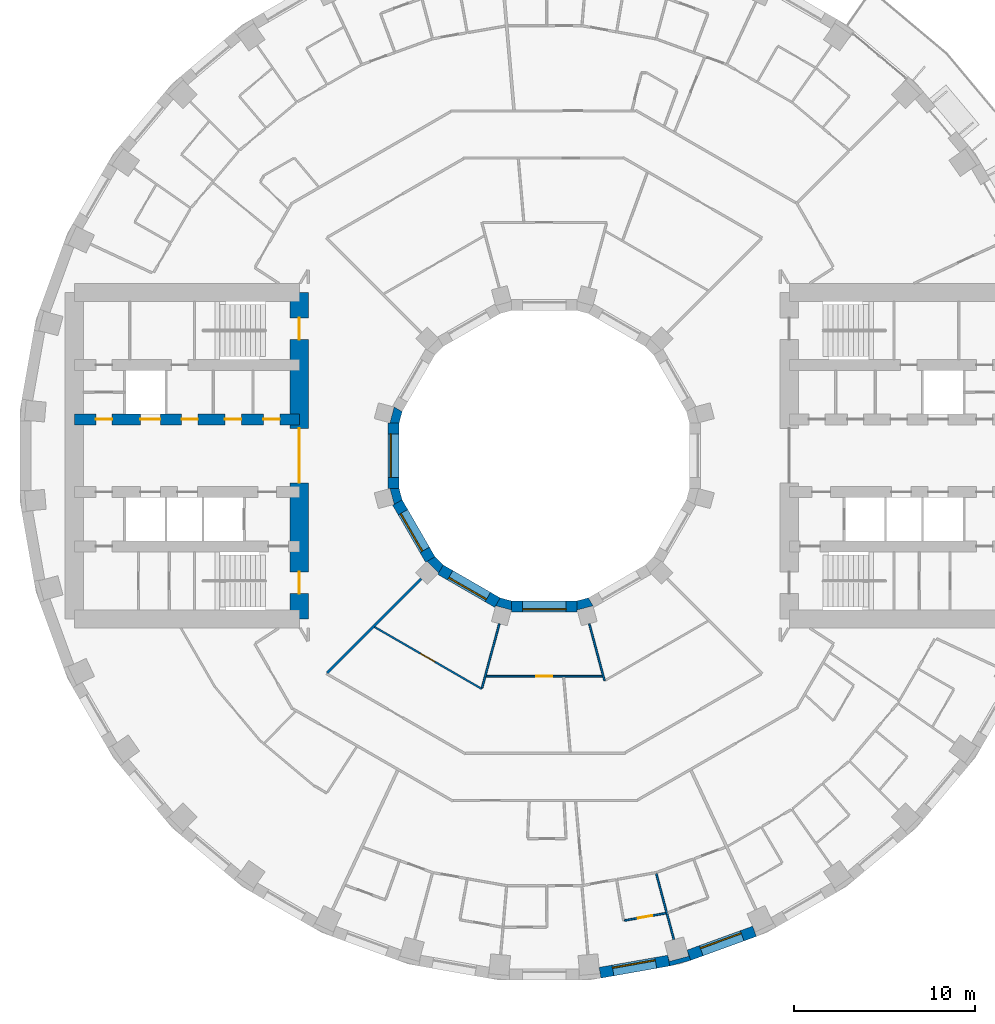
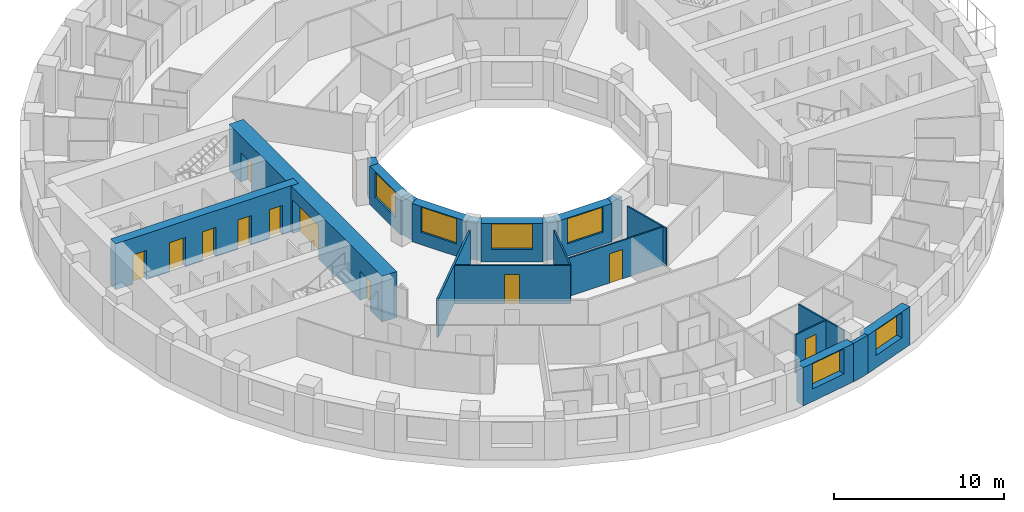
# One storey, part 6 of 15: 21 walls, 11 doors, 6 windows, 17 openings.
"""IFC4 building model written with IfcOpenShell, lengths in metres."""

from ifc_helpers import new_model, si_unit, direction, frame, frame_2d, origin, place, context, subcontext, project, spatial, polyline, rectangle, outline, extrude, material, layer, layer_set, type_object, element, fill, save


model = new_model("IFC4")

# Units and contexts
model_context = context("Model", 3, precision=1e-05, world=origin(), true_north=direction((0.0, 1.0)))
body_context = subcontext(model_context, "Body", "Model", "MODEL_VIEW")
ifc_project = project(units=[si_unit("LENGTHUNIT", "METRE"), si_unit("AREAUNIT", "SQUARE_METRE"), si_unit("VOLUMEUNIT", "CUBIC_METRE"), si_unit("PLANEANGLEUNIT", "RADIAN"), si_unit("MASSUNIT", "GRAM", prefix="KILO")], contexts=[model_context])

# Site, building, storey
site_placement = place(None, origin())
site = spatial("IfcSite", under=ifc_project, at=site_placement, CompositionType="ELEMENT")
building_placement = place(site_placement, origin())
building = spatial("IfcBuilding", under=site, at=building_placement, Name="Saqina Gate Tower", CompositionType="ELEMENT")
storey_placement = place(building_placement, frame((0.0, 0.0, 59.300048828125)))
storey = spatial("IfcBuildingStorey", under=building, at=storey_placement, Name="L16", CompositionType="ELEMENT", Elevation=59.300048828125)

# Wall
ifc_material_1 = material(Name="Brick masonry (red)", Category="masonry")
wall_type_1 = type_object("IfcWallType", Name="BRICK PIER COPING RED", PredefinedType="SOLIDWALL", material=ifc_material_1)
wall_1_placement = place(storey_placement, origin())
element("IfcWall", 1, at=wall_1_placement, inside=storey, type_object=wall_type_1, Name="Pier cap L16 column 29", PredefinedType="SOLIDWALL", context=body_context, shape_type="SweptSolid", body=[
    extrude(outline(polyline([(6.910400390625, -28.11669921875), (8.073974609375, -27.80517578125), (7.86865234375, -27.2412109375), (7.95947265625, -27.57958984375), (6.896728515625, -27.864501953125), (6.80615234375, -27.52587890625), (6.910400390625, -28.11669921875)])), origin(), (0.0, 0.0, 1.0), 2.75),
])

# Wall, opening, window
ifc_material_2 = material(Name="Brick masonry (red)", Category="masonry")
ifc_layer_1 = layer(ifc_material_2, 0.60009765625)
ifc_layer_set_1 = layer_set([ifc_layer_1], Name="FW-BRICK-RED")
wall_type_2 = type_object("IfcWallType", Name="FW-BRICK-RED", PredefinedType="SOLIDWALL", material=ifc_layer_set_1)
wall_2_placement = place(storey_placement, frame((3.07080078125, -28.4892578125, 0.0), z_axis=(0.0, 0.0, 1.0), x_axis=(0.984800809218, 0.173687553279, 0.0)))
wall_2 = element("IfcWall", 2, at=wall_2_placement, inside=storey, type_object=wall_type_2, Name="Facade wall L16 facet 28", PredefinedType="SOLIDWALL", context=body_context, shape_type="SweptSolid", body=[
    extrude(rectangle(XDim=3.845703125, YDim=0.60009765625, at=frame_2d((1.9228515625, 0.0))), origin(), (0.0, 0.0, 1.0), 2.75),
])
opening_1_placement = place(wall_2_placement, frame((0.722900390625, 0.0, 0.89990234375)))
opening_1 = element("IfcOpeningElement", 3, at=opening_1_placement, cuts=wall_2, Name="Opening G04-W18", PredefinedType="OPENING", context=body_context, shape_type="SweptSolid", body=[
    extrude(rectangle(XDim=2.39990234375, YDim=1.800048828125, at=frame_2d((1.199951171875, 0.89990234375))), frame((0.0, 0.31201171875, 0.0), z_axis=(0.0, -1.0, 0.0), x_axis=(1.0, 0.0, 0.0)), (0.0, 0.0, 1.0), 0.6240234375),
])
ifc_material_3 = material(Name="Aluminium glazing", Category="aluminium")
window_type_1 = type_object("IfcWindowType", Name="WN-A", PartitioningType="SINGLE_PANEL", PredefinedType="WINDOW", material=ifc_material_3)
window_1_placement = place(opening_1_placement, origin())
window_1 = element("IfcWindow", 4, at=window_1_placement, inside=storey, type_object=window_type_1, Name="Window L16 facet 28", OverallHeight=1.800048828125, OverallWidth=2.39990234375, PartitioningType="SINGLE_PANEL", PredefinedType="WINDOW", context=body_context, shape_type="SweptSolid", body=[
    extrude(rectangle(XDim=2.39990234375, YDim=1.800048828125, at=frame_2d((1.199951171875, 0.89990234375))), frame((0.0, 0.179931640625, 0.0), z_axis=(0.0, -1.0, 0.0), x_axis=(1.0, 0.0, 0.0)), (0.0, 0.0, 1.0), 0.06005859375),
])
fill(opening_1, window_1)

wall_3_placement = place(storey_placement, frame((7.97119140625, -27.523193359375, 0.0), z_axis=(0.0, 0.0, 1.0), x_axis=(0.939689588564, 0.342028474173, 0.0)))
wall_3 = element("IfcWall", 5, at=wall_3_placement, inside=storey, type_object=wall_type_2, Name="Facade wall L16 facet 29", PredefinedType="SOLIDWALL", context=body_context, shape_type="SweptSolid", body=[
    extrude(rectangle(XDim=3.845947265625, YDim=0.60009765625, at=frame_2d((1.9228515625, 0.0))), origin(), (0.0, 0.0, 1.0), 2.75),
])
opening_2_placement = place(wall_3_placement, frame((0.722900390625, 0.0, 0.89990234375)))
opening_2 = element("IfcOpeningElement", 6, at=opening_2_placement, cuts=wall_3, Name="Opening G04-W19", PredefinedType="OPENING", context=body_context, shape_type="SweptSolid", body=[
    extrude(rectangle(XDim=2.39990234375, YDim=1.800048828125, at=frame_2d((1.199951171875, 0.89990234375))), frame((0.0, 0.31201171875, 0.0), z_axis=(0.0, -1.0, 0.0), x_axis=(1.0, 0.0, 0.0)), (0.0, 0.0, 1.0), 0.6240234375),
])
window_2_placement = place(opening_2_placement, origin())
window_2 = element("IfcWindow", 7, at=window_2_placement, inside=storey, type_object=window_type_1, Name="Window L16 facet 29", OverallHeight=1.800048828125, OverallWidth=2.39990234375, PartitioningType="SINGLE_PANEL", PredefinedType="WINDOW", context=body_context, shape_type="SweptSolid", body=[
    extrude(rectangle(XDim=2.39990234375, YDim=1.800048828125, at=frame_2d((1.199951171875, 0.89990234375))), frame((0.0, 0.179931640625, 0.0), z_axis=(0.0, -1.0, 0.0), x_axis=(1.0, 0.0, 0.0)), (0.0, 0.0, 1.0), 0.06005859375),
])
fill(opening_2, window_2)

ifc_material_4 = material(Name="Glazed ceramic tile", Category="ceramic")
ifc_layer_2 = layer(ifc_material_4, 0.60009765625)
ifc_layer_set_2 = layer_set([ifc_layer_2], Name="IW-TILE")
wall_type_3 = type_object("IfcWallType", Name="IW-TILE", PredefinedType="SOLIDWALL", material=ifc_layer_set_2)
wall_4_placement = place(storey_placement, frame((-8.300048828125, 1.8125, 0.0), z_axis=(0.0, 0.0, 1.0), x_axis=(0.0, -1.0, 0.0)))
wall_4 = element("IfcWall", 8, at=wall_4_placement, inside=storey, type_object=wall_type_3, Name="Well wall L16 facet 6", PredefinedType="SOLIDWALL", context=body_context, shape_type="SweptSolid", body=[
    extrude(rectangle(XDim=3.625, YDim=0.60009765625, at=frame_2d((1.8125, 0.0))), origin(), (0.0, 0.0, 1.0), 2.75),
])
opening_3_placement = place(wall_4_placement, frame((0.612548828125, 0.0, 0.89990234375)))
opening_3 = element("IfcOpeningElement", 9, at=opening_3_placement, cuts=wall_4, Name="Opening G04-W29", PredefinedType="OPENING", context=body_context, shape_type="SweptSolid", body=[
    extrude(rectangle(XDim=2.39990234375, YDim=1.800048828125, at=frame_2d((1.199951171875, 0.89990234375))), frame((0.0, 0.31201171875, 0.0), z_axis=(0.0, -1.0, 0.0), x_axis=(1.0, 0.0, 0.0)), (0.0, 0.0, 1.0), 0.6240234375),
])
ifc_material_5 = material(Name="Aluminium glazing", Category="aluminium")
window_type_2 = type_object("IfcWindowType", Name="WN-W", PartitioningType="SINGLE_PANEL", PredefinedType="WINDOW", material=ifc_material_5)
window_3_placement = place(opening_3_placement, origin())
window_3 = element("IfcWindow", 10, at=window_3_placement, inside=storey, type_object=window_type_2, Name="Well window L16 facet 6", OverallHeight=1.800048828125, OverallWidth=2.39990234375, PartitioningType="SINGLE_PANEL", PredefinedType="WINDOW", context=body_context, shape_type="SweptSolid", body=[
    extrude(rectangle(XDim=2.39990234375, YDim=1.800048828125, at=frame_2d((1.199951171875, 0.89990234375))), frame((0.0, -0.119873046875, 0.0), z_axis=(0.0, -1.0, 0.0), x_axis=(1.0, 0.0, 0.0)), (0.0, 0.0, 1.0), 0.06005859375),
])
fill(opening_3, window_3)

wall_5_placement = place(storey_placement, frame((-8.09423828125, -2.580322265625, 0.0), z_axis=(0.0, 0.0, 1.0), x_axis=(0.499992569217, -0.866029693906, 0.0)))
wall_5 = element("IfcWall", 11, at=wall_5_placement, inside=storey, type_object=wall_type_3, Name="Well wall L16 facet 7", PredefinedType="SOLIDWALL", context=body_context, shape_type="SweptSolid", body=[
    extrude(rectangle(XDim=3.625, YDim=0.60009765625, at=frame_2d((1.8125, 0.0))), origin(), (0.0, 0.0, 1.0), 2.75),
])
opening_4_placement = place(wall_5_placement, frame((0.612548828125, 0.0, 0.89990234375)))
opening_4 = element("IfcOpeningElement", 12, at=opening_4_placement, cuts=wall_5, Name="Opening G04-W30", PredefinedType="OPENING", context=body_context, shape_type="SweptSolid", body=[
    extrude(rectangle(XDim=2.39990234375, YDim=1.800048828125, at=frame_2d((1.199951171875, 0.89990234375))), frame((0.0, 0.31201171875, 0.0), z_axis=(0.0, -1.0, 0.0), x_axis=(1.0, 0.0, 0.0)), (0.0, 0.0, 1.0), 0.6240234375),
])
window_4_placement = place(opening_4_placement, origin())
window_4 = element("IfcWindow", 13, at=window_4_placement, inside=storey, type_object=window_type_2, Name="Well window L16 facet 7", OverallHeight=1.800048828125, OverallWidth=2.39990234375, PartitioningType="SINGLE_PANEL", PredefinedType="WINDOW", context=body_context, shape_type="SweptSolid", body=[
    extrude(rectangle(XDim=2.39990234375, YDim=1.800048828125, at=frame_2d((1.199951171875, 0.89990234375))), frame((0.0, -0.119873046875, 0.0), z_axis=(0.0, -1.0, 0.0), x_axis=(1.0, 0.0, 0.0)), (0.0, 0.0, 1.0), 0.06005859375),
])
fill(opening_4, window_4)

wall_6_placement = place(storey_placement, frame((-5.7197265625, -6.28173828125, 0.0), z_axis=(0.0, 0.0, 1.0), x_axis=(0.866029693906, -0.499992569217, 0.0)))
wall_6 = element("IfcWall", 14, at=wall_6_placement, inside=storey, type_object=wall_type_3, Name="Well wall L16 facet 8", PredefinedType="SOLIDWALL", context=body_context, shape_type="SweptSolid", body=[
    extrude(rectangle(XDim=3.625, YDim=0.60009765625, at=frame_2d((1.8125, 0.0))), origin(), (0.0, 0.0, 1.0), 2.75),
])
opening_5_placement = place(wall_6_placement, frame((0.612548828125, 0.0, 0.89990234375)))
opening_5 = element("IfcOpeningElement", 15, at=opening_5_placement, cuts=wall_6, Name="Opening G04-W31", PredefinedType="OPENING", context=body_context, shape_type="SweptSolid", body=[
    extrude(rectangle(XDim=2.39990234375, YDim=1.800048828125, at=frame_2d((1.199951171875, 0.89990234375))), frame((0.0, 0.31201171875, 0.0), z_axis=(0.0, -1.0, 0.0), x_axis=(1.0, 0.0, 0.0)), (0.0, 0.0, 1.0), 0.6240234375),
])
window_5_placement = place(opening_5_placement, origin())
window_5 = element("IfcWindow", 16, at=window_5_placement, inside=storey, type_object=window_type_2, Name="Well window L16 facet 8", OverallHeight=1.800048828125, OverallWidth=2.39990234375, PartitioningType="SINGLE_PANEL", PredefinedType="WINDOW", context=body_context, shape_type="SweptSolid", body=[
    extrude(rectangle(XDim=2.39990234375, YDim=1.800048828125, at=frame_2d((1.199951171875, 0.89990234375))), frame((0.0, -0.119873046875, 0.0), z_axis=(0.0, -1.0, 0.0), x_axis=(1.0, 0.0, 0.0)), (0.0, 0.0, 1.0), 0.06005859375),
])
fill(opening_5, window_5)

wall_7_placement = place(storey_placement, frame((-1.8125, -8.300048828125, 0.0), z_axis=(0.0, 0.0, 1.0), x_axis=(1.0, 0.0, 0.0)))
wall_7 = element("IfcWall", 17, at=wall_7_placement, inside=storey, type_object=wall_type_3, Name="Well wall L16 facet 9", PredefinedType="SOLIDWALL", context=body_context, shape_type="SweptSolid", body=[
    extrude(rectangle(XDim=3.625, YDim=0.60009765625, at=frame_2d((1.8125, 0.0))), origin(), (0.0, 0.0, 1.0), 2.75),
])
opening_6_placement = place(wall_7_placement, frame((0.612548828125, 0.0, 0.89990234375)))
opening_6 = element("IfcOpeningElement", 18, at=opening_6_placement, cuts=wall_7, Name="Opening G04-W32", PredefinedType="OPENING", context=body_context, shape_type="SweptSolid", body=[
    extrude(rectangle(XDim=2.39990234375, YDim=1.800048828125, at=frame_2d((1.199951171875, 0.89990234375))), frame((0.0, 0.31201171875, 0.0), z_axis=(0.0, -1.0, 0.0), x_axis=(1.0, 0.0, 0.0)), (0.0, 0.0, 1.0), 0.6240234375),
])
window_6_placement = place(opening_6_placement, origin())
window_6 = element("IfcWindow", 19, at=window_6_placement, inside=storey, type_object=window_type_2, Name="Well window L16 facet 9", OverallHeight=1.800048828125, OverallWidth=2.39990234375, PartitioningType="SINGLE_PANEL", PredefinedType="WINDOW", context=body_context, shape_type="SweptSolid", body=[
    extrude(rectangle(XDim=2.39990234375, YDim=1.800048828125, at=frame_2d((1.199951171875, 0.89990234375))), frame((0.0, -0.119873046875, 0.0), z_axis=(0.0, -1.0, 0.0), x_axis=(1.0, 0.0, 0.0)), (0.0, 0.0, 1.0), 0.06005859375),
])
fill(opening_6, window_6)

# Walls
ifc_material_6 = material(Name="Gypsum board on steel studs, 100 mm", Category="steel")
ifc_layer_3 = layer(ifc_material_6, 0.10009765625)
ifc_layer_set_3 = layer_set([ifc_layer_3], Name="PARTITION 100")
wall_type_4 = type_object("IfcWallType", Name="PARTITION 100", PredefinedType="PARTITIONING", material=ifc_layer_set_3)
wall_8_placement = place(storey_placement, frame((6.169189453125, -23.01806640625, 0.0), z_axis=(0.0, 0.0, 1.0), x_axis=(0.258074907141, -0.966124910301, 0.0)))
element("IfcWall", 20, at=wall_8_placement, inside=storey, type_object=wall_type_4, Name="PARTITION PW3-11", PredefinedType="PARTITIONING", context=body_context, shape_type="SweptSolid", body=[
    extrude(rectangle(XDim=3.759521484375, YDim=0.10009765625, at=frame_2d((1.8798828125, 0.0))), origin(), (0.0, 0.0, 1.0), 2.75),
])
wall_9_placement = place(storey_placement, frame((2.48291015625, -9.265380859375, 0.0), z_axis=(0.0, 0.0, 1.0), x_axis=(0.258716029799, -0.965953423269, 0.0)))
element("IfcWall", 21, at=wall_9_placement, inside=storey, type_object=wall_type_4, Name="PARTITION PW3-12", PredefinedType="PARTITIONING", context=body_context, shape_type="SweptSolid", body=[
    extrude(rectangle(XDim=3.245361328125, YDim=0.10009765625, at=frame_2d((1.62255859375, 0.0))), origin(), (0.0, 0.0, 1.0), 2.75),
])

# Wall, opening, door
wall_10_placement = place(storey_placement, frame((-9.352783203125, -9.438232421875, 0.0), z_axis=(0.0, 0.0, 1.0), x_axis=(0.866030680601, -0.499990860175, 0.0)))
wall_10 = element("IfcWall", 22, at=wall_10_placement, inside=storey, type_object=wall_type_4, Name="PARTITION PW3-40", PredefinedType="PARTITIONING", context=body_context, shape_type="SweptSolid", body=[
    extrude(rectangle(XDim=6.823974609375, YDim=0.10009765625, at=frame_2d((3.412109375, 0.0))), origin(), (0.0, 0.0, 1.0), 2.75),
])
opening_7_placement = place(wall_10_placement, frame((2.9306640625, 0.0, 0.0)))
opening_7 = element("IfcOpeningElement", 23, at=opening_7_placement, cuts=wall_10, Name="Opening G04-D40", PredefinedType="OPENING", context=body_context, shape_type="SweptSolid", body=[
    extrude(rectangle(XDim=0.89990234375, YDim=2.10009765625, at=frame_2d((0.449951171875, 1.050048828125))), frame((0.0, 0.06201171875, 0.0), z_axis=(0.0, -1.0, 0.0), x_axis=(1.0, 0.0, 0.0)), (0.0, 0.0, 1.0), 0.1240234375),
])
ifc_material_7 = material(Name="Timber door leaf, 900 mm", Category="wood")
door_type_1 = type_object("IfcDoorType", Name="DOOR 900 TIMBER", OperationType="SINGLE_SWING_LEFT", PredefinedType="DOOR", material=ifc_material_7)
door_1_placement = place(opening_7_placement, frame((0.89990234375, 0.0, 0.0), z_axis=(0.0, 0.0, 1.0), x_axis=(-1.0, 0.0, 0.0)))
door_1 = element("IfcDoor", 24, at=door_1_placement, inside=storey, type_object=door_type_1, Name="DOOR G04-D40", OperationType="SINGLE_SWING_RIGHT", OverallHeight=2.10009765625, OverallWidth=0.89990234375, PredefinedType="DOOR", context=body_context, shape_type="SweptSolid", body=[
    extrude(rectangle(XDim=0.89990234375, YDim=2.10009765625, at=frame_2d((0.449951171875, 1.050048828125))), frame((0.0, 0.02490234375, 0.0), z_axis=(0.0, -1.0, 0.0), x_axis=(1.0, 0.0, 0.0)), (0.0, 0.0, 1.0), 0.050048828125),
])
fill(opening_7, door_1)

wall_11_placement = place(storey_placement, frame((-3.205078125, -12.14990234375, 0.0), z_axis=(0.0, 0.0, 1.0), x_axis=(1.0, 0.0, 0.0)))
wall_11 = element("IfcWall", 25, at=wall_11_placement, inside=storey, type_object=wall_type_4, Name="PARTITION PW3-58", PredefinedType="PARTITIONING", context=body_context, shape_type="SweptSolid", body=[
    extrude(rectangle(XDim=6.4111328125, YDim=0.10009765625, at=frame_2d((3.20556640625, 0.0))), origin(), (0.0, 0.0, 1.0), 2.75),
])
opening_8_placement = place(wall_11_placement, frame((2.755615234375, 0.0, 0.0)))
opening_8 = element("IfcOpeningElement", 26, at=opening_8_placement, cuts=wall_11, Name="Opening G04-D48", PredefinedType="OPENING", context=body_context, shape_type="SweptSolid", body=[
    extrude(rectangle(XDim=0.89990234375, YDim=2.10009765625, at=frame_2d((0.449951171875, 1.050048828125))), frame((0.0, 0.06201171875, 0.0), z_axis=(0.0, -1.0, 0.0), x_axis=(1.0, 0.0, 0.0)), (0.0, 0.0, 1.0), 0.1240234375),
])
door_2_placement = place(opening_8_placement, frame((0.89990234375, 0.0, 0.0), z_axis=(0.0, 0.0, 1.0), x_axis=(-1.0, 0.0, 0.0)))
door_2 = element("IfcDoor", 27, at=door_2_placement, inside=storey, type_object=door_type_1, Name="DOOR G04-D48", OperationType="SINGLE_SWING_LEFT", OverallHeight=2.10009765625, OverallWidth=0.89990234375, PredefinedType="DOOR", context=body_context, shape_type="SweptSolid", body=[
    extrude(rectangle(XDim=0.89990234375, YDim=2.10009765625, at=frame_2d((0.449951171875, 1.050048828125))), frame((0.0, 0.02490234375, 0.0), z_axis=(0.0, -1.0, 0.0), x_axis=(1.0, 0.0, 0.0)), (0.0, 0.0, 1.0), 0.050048828125),
])
fill(opening_8, door_2)

wall_12_placement = place(storey_placement, frame((4.419189453125, -25.611328125, 0.0), z_axis=(0.0, 0.0, 1.0), x_axis=(0.984814280308, 0.173611155466, 0.0)))
wall_12 = element("IfcWall", 28, at=wall_12_placement, inside=storey, type_object=wall_type_4, Name="PARTITION PW3-63", PredefinedType="PARTITIONING", context=body_context, shape_type="SweptSolid", body=[
    extrude(rectangle(XDim=2.31884765625, YDim=0.10009765625, at=frame_2d((1.159423828125, 0.0))), origin(), (0.0, 0.0, 1.0), 2.75),
])
opening_9_placement = place(wall_12_placement, frame((0.759521484375, 0.0, 0.0)))
opening_9 = element("IfcOpeningElement", 29, at=opening_9_placement, cuts=wall_12, Name="Opening G04-D53", PredefinedType="OPENING", context=body_context, shape_type="SweptSolid", body=[
    extrude(rectangle(XDim=0.800048828125, YDim=2.10009765625, at=frame_2d((0.39990234375, 1.050048828125))), frame((0.0, 0.06201171875, 0.0), z_axis=(0.0, -1.0, 0.0), x_axis=(1.0, 0.0, 0.0)), (0.0, 0.0, 1.0), 0.1240234375),
])
ifc_material_8 = material(Name="Timber door leaf, 800 mm", Category="wood")
door_type_2 = type_object("IfcDoorType", Name="DOOR 800 TIMBER", OperationType="SINGLE_SWING_LEFT", PredefinedType="DOOR", material=ifc_material_8)
door_3_placement = place(opening_9_placement, frame((0.800048828125, 0.0, 0.0), z_axis=(0.0, 0.0, 1.0), x_axis=(-1.0, 0.0, 0.0)))
door_3 = element("IfcDoor", 30, at=door_3_placement, inside=storey, type_object=door_type_2, Name="DOOR G04-D53", OperationType="SINGLE_SWING_LEFT", OverallHeight=2.10009765625, OverallWidth=0.800048828125, PredefinedType="DOOR", context=body_context, shape_type="SweptSolid", body=[
    extrude(rectangle(XDim=0.800048828125, YDim=2.10009765625, at=frame_2d((0.39990234375, 1.050048828125))), frame((0.0, 0.02490234375, 0.0), z_axis=(0.0, -1.0, 0.0), x_axis=(1.0, 0.0, 0.0)), (0.0, 0.0, 1.0), 0.050048828125),
])
fill(opening_9, door_3)

# Walls
wall_13_placement = place(storey_placement, frame((-3.429931640625, -12.8017578125, 0.0), z_axis=(0.0, 0.0, 1.0), x_axis=(0.259334903776, 0.965787454714, 0.0)))
element("IfcWall", 31, at=wall_13_placement, inside=storey, type_object=wall_type_4, Name="PARTITION PW3-104", PredefinedType="PARTITIONING", context=body_context, shape_type="SweptSolid", body=[
    extrude(rectangle(XDim=3.6611328125, YDim=0.10009765625, at=frame_2d((1.83056640625, 0.0))), origin(), (0.0, 0.0, 1.0), 2.75),
])
ifc_material_9 = material(Name="Gypsum board on steel studs, 125 mm, fire rated", Category="steel")
ifc_layer_4 = layer(ifc_material_9, 0.125)
ifc_layer_set_4 = layer_set([ifc_layer_4], Name="PARTITION EI 30 125")
wall_type_5 = type_object("IfcWallType", Name="PARTITION EI 30 125", PredefinedType="PARTITIONING", material=ifc_layer_set_4)
wall_14_placement = place(storey_placement, frame((-11.9619140625, -11.9619140625, 0.0), z_axis=(0.0, 0.0, 1.0), x_axis=(0.707106781187, 0.707106781187, 0.0)))
element("IfcWall", 32, at=wall_14_placement, inside=storey, type_object=wall_type_5, Name="PARTITION PW1-41", PredefinedType="PARTITIONING", context=body_context, shape_type="SweptSolid", body=[
    extrude(rectangle(XDim=7.324462890625, YDim=0.125, at=frame_2d((3.662109375, 0.0))), origin(), (0.0, 0.0, 1.0), 2.75),
])

# Wall, openings, doors
ifc_material_10 = material(Name="Concrete C70/85", Category="concrete")
ifc_layer_5 = layer(ifc_material_10, 0.60009765625)
ifc_layer_set_5 = layer_set([ifc_layer_5], Name="Concrete C70/85")
wall_type_6 = type_object("IfcWallType", Name="STR-CORE WALL-A-I", PredefinedType="SHEAR", material=ifc_layer_set_5)
wall_15_placement = place(storey_placement, frame((-13.5, 2.0, 0.0), z_axis=(0.0, 0.0, 1.0), x_axis=(-1.0, 0.0, 0.0)))
wall_15 = element("IfcWall", 33, at=wall_15_placement, inside=storey, type_object=wall_type_6, Name="CORE WALL L16 W-L1", PredefinedType="SHEAR", context=body_context, shape_type="SweptSolid", body=[
    extrude(rectangle(XDim=12.39990234375, YDim=0.60009765625, at=frame_2d((6.199951171875, 0.0))), origin(), (0.0, 0.0, 1.0), 3.300048828125),
])
opening_10_placement = place(wall_15_placement, frame((7.64990234375, 0.0, 0.0)))
opening_10 = element("IfcOpeningElement", 34, at=opening_10_placement, cuts=wall_15, Name="Opening G04-LD5", PredefinedType="OPENING", context=body_context, shape_type="SweptSolid", body=[
    extrude(rectangle(XDim=1.10009765625, YDim=2.10009765625, at=frame_2d((0.550048828125, 1.050048828125))), frame((0.0, 0.31201171875, 0.0), z_axis=(0.0, -1.0, 0.0), x_axis=(1.0, 0.0, 0.0)), (0.0, 0.0, 1.0), 0.6240234375),
])
opening_11_placement = place(wall_15_placement, frame((1.075927734375, 0.0, 0.0)))
opening_11 = element("IfcOpeningElement", 35, at=opening_11_placement, cuts=wall_15, Name="Opening G04-D106", PredefinedType="OPENING", context=body_context, shape_type="SweptSolid", body=[
    extrude(rectangle(XDim=0.89990234375, YDim=2.10009765625, at=frame_2d((0.449951171875, 1.050048828125))), frame((0.0, 0.31201171875, 0.0), z_axis=(0.0, -1.0, 0.0), x_axis=(1.0, 0.0, 0.0)), (0.0, 0.0, 1.0), 0.6240234375),
])
opening_12_placement = place(wall_15_placement, frame((3.1962890625, 0.0, 0.0)))
opening_12 = element("IfcOpeningElement", 36, at=opening_12_placement, cuts=wall_15, Name="Opening G04-D107", PredefinedType="OPENING", context=body_context, shape_type="SweptSolid", body=[
    extrude(rectangle(XDim=0.89990234375, YDim=2.10009765625, at=frame_2d((0.449951171875, 1.050048828125))), frame((0.0, 0.31201171875, 0.0), z_axis=(0.0, -1.0, 0.0), x_axis=(1.0, 0.0, 0.0)), (0.0, 0.0, 1.0), 0.6240234375),
])
opening_13_placement = place(wall_15_placement, frame((5.59033203125, 0.0, 0.0)))
opening_13 = element("IfcOpeningElement", 37, at=opening_13_placement, cuts=wall_15, Name="Opening G04-D108", PredefinedType="OPENING", context=body_context, shape_type="SweptSolid", body=[
    extrude(rectangle(XDim=0.89990234375, YDim=2.10009765625, at=frame_2d((0.449951171875, 1.050048828125))), frame((0.0, 0.31201171875, 0.0), z_axis=(0.0, -1.0, 0.0), x_axis=(1.0, 0.0, 0.0)), (0.0, 0.0, 1.0), 0.6240234375),
])
opening_14_placement = place(wall_15_placement, frame((10.31005859375, 0.0, 0.0)))
opening_14 = element("IfcOpeningElement", 38, at=opening_14_placement, cuts=wall_15, Name="Opening G04-D109", PredefinedType="OPENING", context=body_context, shape_type="SweptSolid", body=[
    extrude(rectangle(XDim=0.89990234375, YDim=2.10009765625, at=frame_2d((0.449951171875, 1.050048828125))), frame((0.0, 0.31201171875, 0.0), z_axis=(0.0, -1.0, 0.0), x_axis=(1.0, 0.0, 0.0)), (0.0, 0.0, 1.0), 0.6240234375),
])
ifc_material_11 = material(Name="Stainless steel", Category="steel")
door_type_3 = type_object("IfcDoorType", Name="LANDING DOOR", OperationType="DOUBLE_DOOR_SLIDING", PredefinedType="DOOR", material=ifc_material_11)
door_4_placement = place(opening_10_placement, origin())
door_4 = element("IfcDoor", 39, at=door_4_placement, inside=storey, type_object=door_type_3, Name="LANDING DOOR LR4", OperationType="DOUBLE_DOOR_SLIDING", OverallHeight=2.10009765625, OverallWidth=1.10009765625, PredefinedType="DOOR", context=body_context, shape_type="SweptSolid", body=[
    extrude(rectangle(XDim=1.10009765625, YDim=2.10009765625, at=frame_2d((0.550048828125, 1.050048828125))), frame((0.0, 0.02490234375, 0.0), z_axis=(0.0, -1.0, 0.0), x_axis=(1.0, 0.0, 0.0)), (0.0, 0.0, 1.0), 0.050048828125),
])
fill(opening_10, door_4)
ifc_material_12 = material(Name="Steel-framed fire door leaf, EI 60", Category="steel")
door_type_4 = type_object("IfcDoorType", Name="SERVICE ROOM DOOR 900", OperationType="SINGLE_SWING_LEFT", PredefinedType="DOOR", material=ifc_material_12)
door_5_placement = place(opening_11_placement, frame((0.89990234375, 0.0, 0.0), z_axis=(0.0, 0.0, 1.0), x_axis=(-1.0, 0.0, 0.0)))
door_5 = element("IfcDoor", 40, at=door_5_placement, inside=storey, type_object=door_type_4, Name="L16-CD-W17", OperationType="SINGLE_SWING_LEFT", OverallHeight=2.10009765625, OverallWidth=0.89990234375, PredefinedType="DOOR", context=body_context, shape_type="SweptSolid", body=[
    extrude(rectangle(XDim=0.89990234375, YDim=2.10009765625, at=frame_2d((0.449951171875, 1.050048828125))), frame((0.0, 0.02490234375, 0.0), z_axis=(0.0, -1.0, 0.0), x_axis=(1.0, 0.0, 0.0)), (0.0, 0.0, 1.0), 0.050048828125),
])
fill(opening_11, door_5)
door_6_placement = place(opening_12_placement, frame((0.89990234375, 0.0, 0.0), z_axis=(0.0, 0.0, 1.0), x_axis=(-1.0, 0.0, 0.0)))
door_6 = element("IfcDoor", 41, at=door_6_placement, inside=storey, type_object=door_type_4, Name="L16-CD-W18", OperationType="SINGLE_SWING_RIGHT", OverallHeight=2.10009765625, OverallWidth=0.89990234375, PredefinedType="DOOR", context=body_context, shape_type="SweptSolid", body=[
    extrude(rectangle(XDim=0.89990234375, YDim=2.10009765625, at=frame_2d((0.449951171875, 1.050048828125))), frame((0.0, 0.02490234375, 0.0), z_axis=(0.0, -1.0, 0.0), x_axis=(1.0, 0.0, 0.0)), (0.0, 0.0, 1.0), 0.050048828125),
])
fill(opening_12, door_6)
door_7_placement = place(opening_13_placement, frame((0.89990234375, 0.0, 0.0), z_axis=(0.0, 0.0, 1.0), x_axis=(-1.0, 0.0, 0.0)))
door_7 = element("IfcDoor", 42, at=door_7_placement, inside=storey, type_object=door_type_4, Name="L16-CD-W19", OperationType="SINGLE_SWING_RIGHT", OverallHeight=2.10009765625, OverallWidth=0.89990234375, PredefinedType="DOOR", context=body_context, shape_type="SweptSolid", body=[
    extrude(rectangle(XDim=0.89990234375, YDim=2.10009765625, at=frame_2d((0.449951171875, 1.050048828125))), frame((0.0, 0.02490234375, 0.0), z_axis=(0.0, -1.0, 0.0), x_axis=(1.0, 0.0, 0.0)), (0.0, 0.0, 1.0), 0.050048828125),
])
fill(opening_13, door_7)
door_8_placement = place(opening_14_placement, frame((0.89990234375, 0.0, 0.0), z_axis=(0.0, 0.0, 1.0), x_axis=(-1.0, 0.0, 0.0)))
door_8 = element("IfcDoor", 43, at=door_8_placement, inside=storey, type_object=door_type_4, Name="L16-CD-W20", OperationType="SINGLE_SWING_LEFT", OverallHeight=2.10009765625, OverallWidth=0.89990234375, PredefinedType="DOOR", context=body_context, shape_type="SweptSolid", body=[
    extrude(rectangle(XDim=0.89990234375, YDim=2.10009765625, at=frame_2d((0.449951171875, 1.050048828125))), frame((0.0, 0.02490234375, 0.0), z_axis=(0.0, -1.0, 0.0), x_axis=(1.0, 0.0, 0.0)), (0.0, 0.0, 1.0), 0.050048828125),
])
fill(opening_14, door_8)

ifc_material_13 = material(Name="Concrete C70/85", Category="concrete")
ifc_layer_6 = layer(ifc_material_13, 1.0)
ifc_layer_set_6 = layer_set([ifc_layer_6], Name="Concrete C70/85")
wall_type_7 = type_object("IfcWallType", Name="STR-CORE WALL-A-O", PredefinedType="SHEAR", material=ifc_layer_set_6)
wall_16_placement = place(storey_placement, frame((-13.5, -9.0, 0.0), z_axis=(0.0, 0.0, 1.0), x_axis=(0.0, 1.0, 0.0)))
wall_16 = element("IfcWall", 44, at=wall_16_placement, inside=storey, type_object=wall_type_7, Name="CORE WALL L16 W-W1", PredefinedType="SHEAR", context=body_context, shape_type="SweptSolid", body=[
    extrude(rectangle(XDim=18.0, YDim=1.0, at=frame_2d((9.0, 0.0))), origin(), (0.0, 0.0, 1.0), 3.300048828125),
])
opening_15_placement = place(wall_16_placement, frame((15.39990234375, 0.0, 0.0)))
opening_15 = element("IfcOpeningElement", 45, at=opening_15_placement, cuts=wall_16, Name="Opening G04-D119", PredefinedType="OPENING", context=body_context, shape_type="SweptSolid", body=[
    extrude(rectangle(XDim=1.199951171875, YDim=2.10009765625, at=frame_2d((0.60009765625, 1.050048828125))), frame((0.0, 0.511962890625, 0.0), z_axis=(0.0, -1.0, 0.0), x_axis=(1.0, 0.0, 0.0)), (0.0, 0.0, 1.0), 1.02392578125),
])
opening_16_placement = place(wall_16_placement, frame((1.39990234375, 0.0, 0.0)))
opening_16 = element("IfcOpeningElement", 46, at=opening_16_placement, cuts=wall_16, Name="Opening G04-D120", PredefinedType="OPENING", context=body_context, shape_type="SweptSolid", body=[
    extrude(rectangle(XDim=1.199951171875, YDim=2.10009765625, at=frame_2d((0.60009765625, 1.050048828125))), frame((0.0, 0.511962890625, 0.0), z_axis=(0.0, -1.0, 0.0), x_axis=(1.0, 0.0, 0.0)), (0.0, 0.0, 1.0), 1.02392578125),
])
opening_17_placement = place(wall_16_placement, frame((7.5, 0.0, 0.0)))
opening_17 = element("IfcOpeningElement", 47, at=opening_17_placement, cuts=wall_16, Name="Opening G04-D121", PredefinedType="OPENING", context=body_context, shape_type="SweptSolid", body=[
    extrude(rectangle(XDim=3.0, YDim=2.39990234375, at=frame_2d((1.5, 1.199951171875))), frame((0.0, 0.511962890625, 0.0), z_axis=(0.0, -1.0, 0.0), x_axis=(1.0, 0.0, 0.0)), (0.0, 0.0, 1.0), 1.02392578125),
])
ifc_material_14 = material(Name="Steel", Category="steel")
door_type_5 = type_object("IfcDoorType", Name="FIRE DOOR EI 60", OperationType="SINGLE_SWING_LEFT", PredefinedType="DOOR", material=ifc_material_14)
door_9_placement = place(opening_15_placement, origin())
door_9 = element("IfcDoor", 48, at=door_9_placement, inside=storey, type_object=door_type_5, Name="L16-CD-W30", OperationType="SINGLE_SWING_RIGHT", OverallHeight=2.10009765625, OverallWidth=1.199951171875, PredefinedType="DOOR", context=body_context, shape_type="SweptSolid", body=[
    extrude(rectangle(XDim=1.199951171875, YDim=2.10009765625, at=frame_2d((0.60009765625, 1.050048828125))), frame((0.0, 0.02490234375, 0.0), z_axis=(0.0, -1.0, 0.0), x_axis=(1.0, 0.0, 0.0)), (0.0, 0.0, 1.0), 0.050048828125),
])
fill(opening_15, door_9)
door_10_placement = place(opening_16_placement, origin())
door_10 = element("IfcDoor", 49, at=door_10_placement, inside=storey, type_object=door_type_5, Name="L16-CD-W31", OperationType="SINGLE_SWING_LEFT", OverallHeight=2.10009765625, OverallWidth=1.199951171875, PredefinedType="DOOR", context=body_context, shape_type="SweptSolid", body=[
    extrude(rectangle(XDim=1.199951171875, YDim=2.10009765625, at=frame_2d((0.60009765625, 1.050048828125))), frame((0.0, 0.02490234375, 0.0), z_axis=(0.0, -1.0, 0.0), x_axis=(1.0, 0.0, 0.0)), (0.0, 0.0, 1.0), 0.050048828125),
])
fill(opening_16, door_10)
ifc_material_15 = material(Name="Steel and fire-resisting glass", Category="steel")
door_type_6 = type_object("IfcDoorType", Name="LOBBY SCREEN DOOR", OperationType="DOUBLE_DOOR_SLIDING", PredefinedType="DOOR", material=ifc_material_15)
door_11_placement = place(opening_17_placement, origin())
door_11 = element("IfcDoor", 50, at=door_11_placement, inside=storey, type_object=door_type_6, Name="L16-CD-W32", OperationType="DOUBLE_DOOR_SLIDING", OverallHeight=2.39990234375, OverallWidth=3.0, PredefinedType="DOOR", context=body_context, shape_type="SweptSolid", body=[
    extrude(rectangle(XDim=3.0, YDim=2.39990234375, at=frame_2d((1.5, 1.199951171875))), frame((0.0, 0.02490234375, 0.0), z_axis=(0.0, -1.0, 0.0), x_axis=(1.0, 0.0, 0.0)), (0.0, 0.0, 1.0), 0.050048828125),
])
fill(opening_17, door_11)

# Walls
ifc_material_16 = material(Name="Glazed ceramic tile", Category="ceramic")
wall_type_8 = type_object("IfcWallType", Name="TILE PIER COPING", PredefinedType="SOLIDWALL", material=ifc_material_16)
wall_17_placement = place(storey_placement, origin())
element("IfcWall", 51, at=wall_17_placement, inside=storey, type_object=wall_type_8, Name="Well pier cap L16 column 6", PredefinedType="SOLIDWALL", context=body_context, shape_type="SweptSolid", body=[
    extrude(outline(polyline([(-8.502685546875, 1.8125), (-8.0, 1.8125), (-7.83447265625, 2.430419921875), (-8.27001953125, 2.681884765625), (-8.502685546875, 1.8125)])), origin(), (0.0, 0.0, 1.0), 2.75),
])
wall_18_placement = place(storey_placement, origin())
element("IfcWall", 52, at=wall_18_placement, inside=storey, type_object=wall_type_8, Name="Well pier cap L16 column 7", PredefinedType="SOLIDWALL", context=body_context, shape_type="SweptSolid", body=[
    extrude(outline(polyline([(-8.27001953125, -2.681884765625), (-7.83447265625, -2.430419921875), (-8.0, -1.8125), (-8.502685546875, -1.8125), (-8.27001953125, -2.681884765625)])), origin(), (0.0, 0.0, 1.0), 2.75),
])
wall_19_placement = place(storey_placement, origin())
element("IfcWall", 53, at=wall_19_placement, inside=storey, type_object=wall_type_8, Name="Well pier cap L16 column 8", PredefinedType="SOLIDWALL", context=body_context, shape_type="SweptSolid", body=[
    extrude(outline(polyline([(-6.45751953125, -5.821044921875), (-5.821044921875, -6.45751953125), (-5.569580078125, -6.02197265625), (-6.02197265625, -5.569580078125), (-6.45751953125, -5.821044921875)])), origin(), (0.0, 0.0, 1.0), 2.75),
])
wall_20_placement = place(storey_placement, origin())
element("IfcWall", 54, at=wall_20_placement, inside=storey, type_object=wall_type_8, Name="Well pier cap L16 column 9", PredefinedType="SOLIDWALL", context=body_context, shape_type="SweptSolid", body=[
    extrude(outline(polyline([(-1.8125, -8.502685546875), (-1.8125, -8.0), (-2.430419921875, -7.83447265625), (-2.681884765625, -8.27001953125), (-1.8125, -8.502685546875)])), origin(), (0.0, 0.0, 1.0), 2.75),
])
wall_21_placement = place(storey_placement, origin())
element("IfcWall", 55, at=wall_21_placement, inside=storey, type_object=wall_type_8, Name="Well pier cap L16 column 10", PredefinedType="SOLIDWALL", context=body_context, shape_type="SweptSolid", body=[
    extrude(outline(polyline([(2.681884765625, -8.27001953125), (2.430419921875, -7.83447265625), (1.8125, -8.0), (1.8125, -8.502685546875), (2.681884765625, -8.27001953125)])), origin(), (0.0, 0.0, 1.0), 2.75),
])

save(model, "model.ifc")
